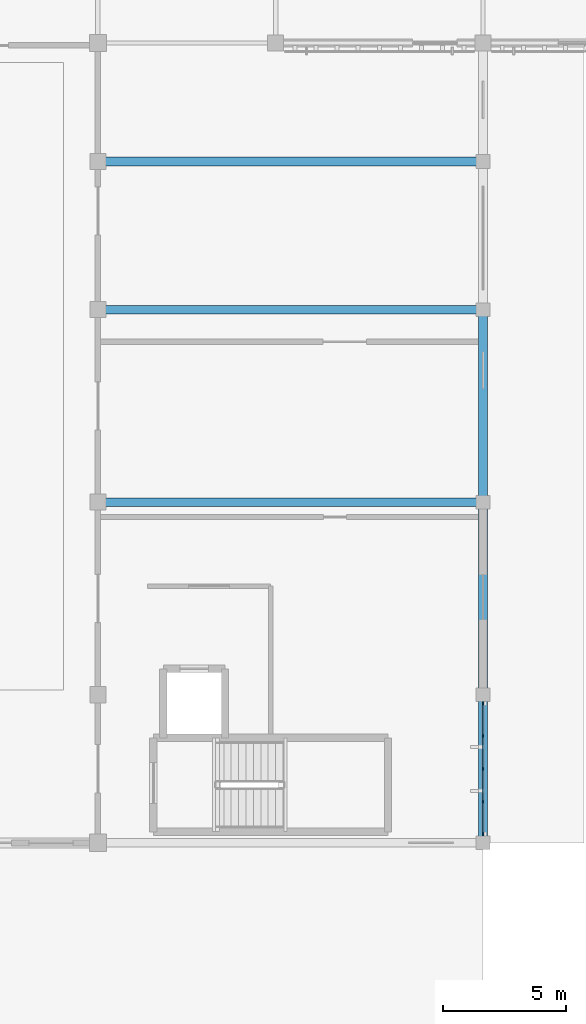
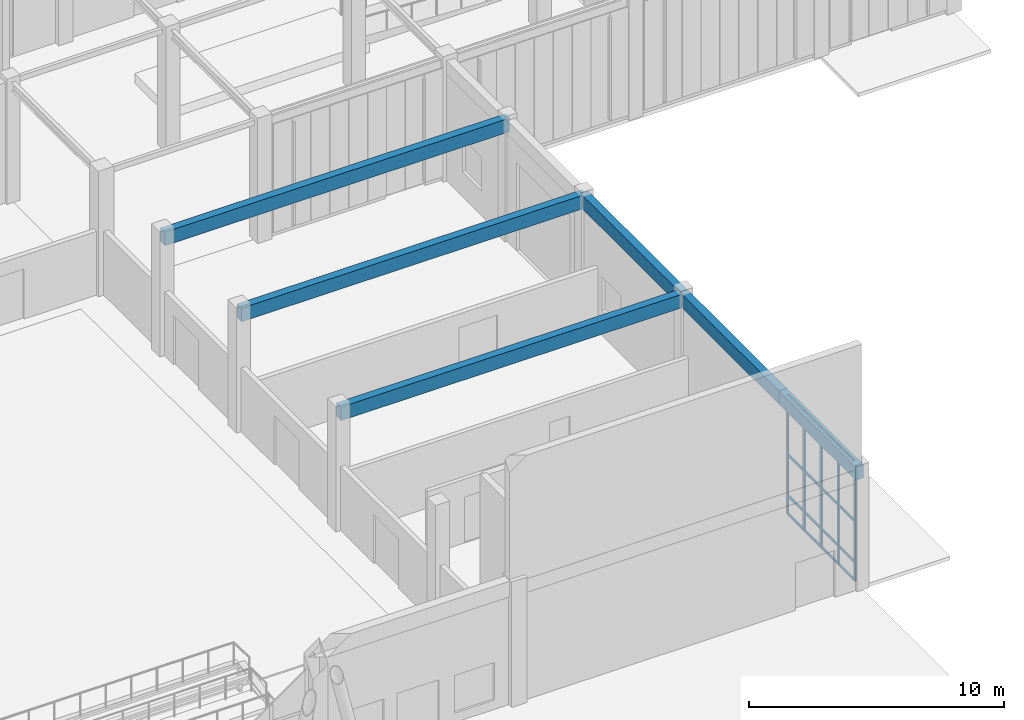
# One storey, part 49 of 110: 21 members, 6 beams, 1 element without a shape of its own.
"""IFC4 building model written with IfcOpenShell, lengths in metres."""

import ifcopenshell
import ifcopenshell.guid

model = None  # the IFC model being written
_history = None  # IfcOwnerHistory: only IFC2X3 demands one
_inside = {}  # id of a spatial element -> (the spatial element, [elements in it])
_under = {}  # id of a project, library or spatial element -> (it, [spatial elements below it])
_declared = {}  # id of a project -> (the project, [libraries it declares])
_typed = {}  # id of a type object -> (the type object, [elements of that type])
_made_of = {}  # id of a material, layer set ... -> (it, [elements and type objects made of it])


def new_model(schema):
    """Start an empty IFC model of exactly this schema.

    Asked for "IFC4X3", IfcOpenShell would pick the latest addendum, in which some entities
    have other attributes; the version numbers below select the first issue.
    IFC2X3 requires an IfcOwnerHistory on every rooted entity: one is made here for all.
    """
    global model, _history
    if schema == "IFC4X3":
        model = ifcopenshell.file(schema_version=(4, 3, 0, 0))
    else:
        model = ifcopenshell.file(schema=schema)
    _inside.clear()
    _under.clear()
    _declared.clear()
    _typed.clear()
    _made_of.clear()
    _history = None
    if model.schema == "IFC2X3":
        org = make("IfcOrganization", Name="unknown")
        user = make(
            "IfcPersonAndOrganization",
            ThePerson=make("IfcPerson", FamilyName="unknown"),
            TheOrganization=org,
        )
        app = make(
            "IfcApplication",
            ApplicationDeveloper=org,
            Version="unknown",
            ApplicationFullName="unknown",
            ApplicationIdentifier="unknown",
        )
        _history = make(
            "IfcOwnerHistory",
            OwningUser=user,
            OwningApplication=app,
            ChangeAction="ADDED",
            CreationDate=0,
        )
    return model


def make(cls, **values):
    """One entity of the class cls with the attributes given. An attribute that is None is left unset."""
    return model.create_entity(
        cls, **{name: value for name, value in values.items() if value is not None}
    )


def rooted(cls, **values):
    """An entity with a GlobalId (a new one), such as an element, a storey or a relation."""
    return make(cls, GlobalId=ifcopenshell.guid.new(), OwnerHistory=_history, **values)


def si_unit(unit_type, name, prefix=None):
    """IfcSIUnit, for example si_unit("LENGTHUNIT", "METRE", prefix="MILLI")."""
    return make("IfcSIUnit", UnitType=unit_type, Prefix=prefix, Name=name)


def assignment(units):
    """IfcUnitAssignment: the units of a project."""
    return None if units is None else make("IfcUnitAssignment", Units=units)


def point(xyz):
    """IfcCartesianPoint."""
    return None if xyz is None else make("IfcCartesianPoint", Coordinates=xyz)


def direction(xyz):
    """IfcDirection."""
    return None if xyz is None else make("IfcDirection", DirectionRatios=xyz)


def frame(location, z_axis=None, x_axis=None):
    """IfcAxis2Placement3D, a coordinate frame: its origin and axes. An axis left out is left unset."""
    return make(
        "IfcAxis2Placement3D",
        Location=point(location),
        Axis=direction(z_axis),
        RefDirection=direction(x_axis),
    )


def frame_2d(location, x_axis=None):
    """IfcAxis2Placement2D, a coordinate frame in the plane: its origin and x axis."""
    return make(
        "IfcAxis2Placement2D", Location=point(location), RefDirection=direction(x_axis)
    )


def origin():
    """The frame at (0, 0, 0) with its axes left unset."""
    return frame((0.0, 0.0, 0.0))


def origin_2d():
    """The frame at (0, 0) in the plane with its x axis left unset."""
    return frame_2d((0.0, 0.0))


def place(relative_to, where):
    """IfcLocalPlacement: puts the frame where relative to a parent placement (None: the world)."""
    return make(
        "IfcLocalPlacement", PlacementRelTo=relative_to, RelativePlacement=where
    )


def context(
    kind, dimensions, precision=None, world=None, true_north=None, identifier=None
):
    """IfcGeometricRepresentationContext, for example the 3D "Model" context."""
    return make(
        "IfcGeometricRepresentationContext",
        ContextIdentifier=identifier,
        ContextType=kind,
        CoordinateSpaceDimension=dimensions,
        Precision=precision,
        WorldCoordinateSystem=world,
        TrueNorth=true_north,
    )


def subcontext(parent, identifier, kind, view, scale=None):
    """IfcGeometricRepresentationSubContext, for example "Body" below "Model"."""
    return make(
        "IfcGeometricRepresentationSubContext",
        ContextIdentifier=identifier,
        ContextType=kind,
        ParentContext=parent,
        TargetScale=scale,
        TargetView=view,
    )


def project(units=None, contexts=None):
    """IfcProject with its units and contexts."""
    return rooted(
        "IfcProject",
        Name="project",
        RepresentationContexts=contexts,
        UnitsInContext=assignment(units),
    )


def spatial(cls, under=None, at=None, **own):
    """A site, building, storey or space (cls), placed at a placement, below another one or the project."""
    s = rooted(cls, ObjectPlacement=at, **own)
    if under is not None:
        _under.setdefault(under.id(), (under, []))[1].append(s)
    return s


def profile(cls, at=None, kind="AREA", **sizes):
    """A parametric profile (cls). Its sizes go by their IFC names, for example OverallWidth=200.0."""
    return make(cls, ProfileType=kind, Position=at, **sizes)


def rectangle(**sizes):
    """IfcRectangleProfileDef."""
    return profile("IfcRectangleProfileDef", **sizes)


def extrude(swept, where, along, depth):
    """IfcExtrudedAreaSolid: the profile swept, set in the frame where, extruded along a direction by depth."""
    return make(
        "IfcExtrudedAreaSolid",
        SweptArea=swept,
        Position=where,
        ExtrudedDirection=direction(along),
        Depth=depth,
    )


def shape(context_of_items, identifier, shape_type, items):
    """IfcShapeRepresentation: the items that make up one representation, for example the "Body"."""
    return make(
        "IfcShapeRepresentation",
        ContextOfItems=context_of_items,
        RepresentationIdentifier=identifier,
        RepresentationType=shape_type,
        Items=items,
    )


def material(Name=None, Category=None):
    """IfcMaterial."""
    return make("IfcMaterial", Name=Name, Category=Category)


def material_profile(
    of_material, cross_section, Name=None, Category=None, Priority=None
):
    """IfcMaterialProfile: a cross section and its material."""
    return make(
        "IfcMaterialProfile",
        Name=Name,
        Material=of_material,
        Profile=cross_section,
        Priority=Priority,
        Category=Category,
    )


def profile_set(profiles, Name=None, composite=None):
    """IfcMaterialProfileSet."""
    return make(
        "IfcMaterialProfileSet",
        Name=Name,
        MaterialProfiles=profiles,
        CompositeProfile=composite,
    )


def made_of(thing, what):
    """Note that an element or type object is made of a material, layer set ...; save() writes the relation."""
    if what is not None:
        _made_of.setdefault(what.id(), (what, []))[1].append(thing)
    return thing


def type_object(cls, material=None, **own):
    """A type object (cls), such as IfcWallType, which elements share."""
    return made_of(rooted(cls, **own), material)


def element(
    cls,
    number,
    at=None,
    inside=None,
    cuts=None,
    type_object=None,
    material=None,
    context=None,
    identifier="Body",
    shape_type=None,
    held_by="IfcProductDefinitionShape",
    body=None,
    shapes=None,
    **own,
):
    """One element of the class cls, such as IfcWall. Its Tag is "e" and its number.

    at: its placement. inside: the storey or other place that contains it. cuts: it is an
    opening in that element (IfcRelVoidsElement). A single representation is given by context,
    identifier, shape_type and body (its items); several are given by shapes. held_by: the class
    of the entity that holds the representations. save() writes the other relations.
    """
    e = rooted(cls, Tag="e%d" % number, ObjectPlacement=at, **own)
    if body is not None:
        shapes = [shape(context, identifier, shape_type, body)]
    if shapes is not None:
        e.Representation = make(held_by, Representations=shapes)
    if inside is not None:
        _inside.setdefault(inside.id(), (inside, []))[1].append(e)
    if cuts is not None:
        rooted(
            "IfcRelVoidsElement", RelatingBuildingElement=cuts, RelatedOpeningElement=e
        )
    if type_object is not None:
        _typed.setdefault(type_object.id(), (type_object, []))[1].append(e)
    return made_of(e, material)


def aggregate(whole, parts):
    """IfcRelAggregates: a whole, such as a stair, and the parts it consists of."""
    return rooted("IfcRelAggregates", RelatingObject=whole, RelatedObjects=parts)


def save(model, path):
    """Write the relations noted so far, then the file.

    IfcRelAggregates (storeys below a building ...), IfcRelContainedInSpatialStructure (elements
    in a storey), IfcRelDefinesByType, IfcRelAssociatesMaterial and IfcRelDeclares: one each for
    every whole, place, type object, material and project.
    """
    for whole, parts in _under.values():
        aggregate(whole, parts)
    for where, things in _inside.values():
        rooted(
            "IfcRelContainedInSpatialStructure",
            RelatedElements=things,
            RelatingStructure=where,
        )
    for kind, things in _typed.values():
        rooted("IfcRelDefinesByType", RelatedObjects=things, RelatingType=kind)
    for what, things in _made_of.values():
        rooted("IfcRelAssociatesMaterial", RelatedObjects=things, RelatingMaterial=what)
    for by, libraries in _declared.values():
        rooted("IfcRelDeclares", RelatingContext=by, RelatedDefinitions=libraries)
    model.write(path)


model = new_model("IFC4")

# Units and contexts
model_context = context("Model", 3, precision=1e-05, world=origin(), true_north=direction((0.0, 1.0)))
body_context = subcontext(model_context, "Body", "Model", "MODEL_VIEW")
ifc_project = project(units=[si_unit("LENGTHUNIT", "METRE"), si_unit("AREAUNIT", "SQUARE_METRE"), si_unit("VOLUMEUNIT", "CUBIC_METRE"), si_unit("PLANEANGLEUNIT", "RADIAN"), si_unit("MASSUNIT", "GRAM", prefix="KILO")], contexts=[model_context])

# Site, building, storey
site_placement = place(None, origin())
site = spatial("IfcSite", under=ifc_project, at=site_placement, CompositionType="ELEMENT")
building_placement = place(site_placement, origin())
building = spatial("IfcBuilding", under=site, at=building_placement, Name="Tizgana Railside Sports Hall", CompositionType="ELEMENT")
storey_placement = place(building_placement, origin())
storey = spatial("IfcBuildingStorey", under=building, at=storey_placement, Name="L00", CompositionType="ELEMENT", Elevation=0.0)

# Beams
ifc_material_1 = material(Name="Concrete C35/45", Category="concrete")
ifc_material_profile_1 = material_profile(ifc_material_1, rectangle(XDim=0.35009765625, YDim=0.64990234375, at=origin_2d()), Name="RCB 350x650")
ifc_profile_set_1 = profile_set([ifc_material_profile_1], Name="Concrete C35/45")
beam_type = type_object("IfcBeamType", Name="Concrete Beam RCB 350x650", PredefinedType="BEAM", material=ifc_profile_set_1)
for number, where, z_axis, x_axis, name in (
    (1, (133.800048828125, 54.60009765625, 5.450927734375), (1.0, 0.0, 0.0), (0.0, 1.0, 0.0), "L00 BEM-1373"),
    (2, (133.800048828125, 62.39990234375, 5.450927734375), (1.0, 0.0, 0.0), (0.0, 1.0, 0.0), "L00 BEM-1374"),
    (3, (133.800048828125, 68.39990234375, 5.450927734375), (1.0, 0.0, 0.0), (0.0, 1.0, 0.0), "L00 BEM-1375"),
):
    element("IfcBeam", number, at=place(storey_placement, frame(where, z_axis=z_axis, x_axis=x_axis)), inside=storey, type_object=beam_type, Name=name, PredefinedType="BEAM", context=body_context, shape_type="SweptSolid", body=[
        extrude(rectangle(XDim=0.35009765625, YDim=0.64990234375, at=origin_2d()), origin(), (0.0, 0.0, 1.0), 15.599853515625),
    ])
beam_1_placement = place(storey_placement, frame((149.39990234375, 40.800048828125, 5.450927734375), z_axis=(0.0, 1.0, 0.0), x_axis=(-1.0, 0.0, 0.0)))
element("IfcBeam", 4, at=beam_1_placement, inside=storey, type_object=beam_type, Name="L00 BEM-1376", PredefinedType="BEAM", context=body_context, shape_type="SweptSolid", body=[
    extrude(rectangle(XDim=0.35009765625, YDim=0.64990234375, at=origin_2d()), origin(), (0.0, 0.0, 1.0), 6.0),
])
beam_2_placement = place(storey_placement, frame((149.39990234375, 46.800048828125, 5.450927734375), z_axis=(0.0, 1.0, 0.0), x_axis=(-1.0, 0.0, 0.0)))
element("IfcBeam", 5, at=beam_2_placement, inside=storey, type_object=beam_type, Name="L00 BEM-1377", PredefinedType="BEAM", context=body_context, shape_type="SweptSolid", body=[
    extrude(rectangle(XDim=0.35009765625, YDim=0.64990234375, at=origin_2d()), origin(), (0.0, 0.0, 1.0), 7.800048828125),
])
beam_3_placement = place(storey_placement, frame((149.39990234375, 54.60009765625, 5.450927734375), z_axis=(0.0, 1.0, 0.0), x_axis=(-1.0, 0.0, 0.0)))
element("IfcBeam", 6, at=beam_3_placement, inside=storey, type_object=beam_type, Name="L00 BEM-1378", PredefinedType="BEAM", context=body_context, shape_type="SweptSolid", body=[
    extrude(rectangle(XDim=0.35009765625, YDim=0.64990234375, at=origin_2d()), origin(), (0.0, 0.0, 1.0), 7.7998046875),
])

# Curtain wall, members
ifc_material_2 = material(Name="Anodised aluminium and glass", Category="aluminium")
curtain_wall_type = type_object("IfcCurtainWallType", Name="Unitised Curtain Wall WestHall 1560", PredefinedType="NOTDEFINED", material=ifc_material_2)
curtain_wall_placement = place(storey_placement, origin())
curtain_wall = element("IfcCurtainWall", 7, at=curtain_wall_placement, inside=storey, type_object=curtain_wall_type, Name="L00 Curtain Wall CW-0030", PredefinedType="NOTDEFINED")
ifc_material_3 = material(Name="Anodised aluminium", Category="aluminium")
ifc_material_profile_2 = material_profile(ifc_material_3, rectangle(XDim=0.06005859375, YDim=0.139892578125, at=origin_2d()), Name="Mullion 60x140")
ifc_profile_set_2 = profile_set([ifc_material_profile_2], Name="Anodised aluminium")
member_type_1 = type_object("IfcMemberType", Name="Mullion 60x140", PredefinedType="MULLION", material=ifc_profile_set_2)
member_1_placement = place(storey_placement, frame((149.39990234375, 41.159912109375, 0.044921875), z_axis=(0.0, 0.0, 1.0), x_axis=(-1.0, 0.0, 0.0)))
member_1 = element("IfcMember", 8, at=member_1_placement, type_object=member_type_1, Name="CW-07 mullion 1", PredefinedType="MULLION", context=body_context, shape_type="SweptSolid", body=[
    extrude(rectangle(XDim=0.06005859375, YDim=0.139892578125, at=origin_2d()), origin(), (0.0, 0.0, 1.0), 5.715087890625),
])
member_2_placement = place(storey_placement, frame((149.39990234375, 42.465087890625, 0.044921875), z_axis=(0.0, 0.0, 1.0), x_axis=(-1.0, 0.0, 0.0)))
member_2 = element("IfcMember", 9, at=member_2_placement, type_object=member_type_1, Name="CW-07 mullion 2", PredefinedType="MULLION", context=body_context, shape_type="SweptSolid", body=[
    extrude(rectangle(XDim=0.06005859375, YDim=0.139892578125, at=origin_2d()), origin(), (0.0, 0.0, 1.0), 5.715087890625),
])
member_3_placement = place(storey_placement, frame((149.39990234375, 43.800048828125, 0.044921875), z_axis=(0.0, 0.0, 1.0), x_axis=(-1.0, 0.0, 0.0)))
member_3 = element("IfcMember", 10, at=member_3_placement, type_object=member_type_1, Name="CW-07 mullion 3", PredefinedType="MULLION", context=body_context, shape_type="SweptSolid", body=[
    extrude(rectangle(XDim=0.06005859375, YDim=0.139892578125, at=origin_2d()), origin(), (0.0, 0.0, 1.0), 5.715087890625),
])
member_4_placement = place(storey_placement, frame((149.39990234375, 45.135009765625, 0.044921875), z_axis=(0.0, 0.0, 1.0), x_axis=(-1.0, 0.0, 0.0)))
member_4 = element("IfcMember", 11, at=member_4_placement, type_object=member_type_1, Name="CW-07 mullion 4", PredefinedType="MULLION", context=body_context, shape_type="SweptSolid", body=[
    extrude(rectangle(XDim=0.06005859375, YDim=0.139892578125, at=origin_2d()), origin(), (0.0, 0.0, 1.0), 5.715087890625),
])
member_5_placement = place(storey_placement, frame((149.39990234375, 46.43994140625, 0.044921875), z_axis=(0.0, 0.0, 1.0), x_axis=(-1.0, 0.0, 0.0)))
member_5 = element("IfcMember", 12, at=member_5_placement, type_object=member_type_1, Name="CW-07 mullion 5", PredefinedType="MULLION", context=body_context, shape_type="SweptSolid", body=[
    extrude(rectangle(XDim=0.06005859375, YDim=0.139892578125, at=origin_2d()), origin(), (0.0, 0.0, 1.0), 5.715087890625),
])
ifc_material_profile_3 = material_profile(ifc_material_3, rectangle(XDim=0.06005859375, YDim=0.110107421875, at=origin_2d()), Name="Transom 60x110")
ifc_profile_set_3 = profile_set([ifc_material_profile_3], Name="Anodised aluminium")
member_type_2 = type_object("IfcMemberType", Name="Transom 60x110", PredefinedType="USERDEFINED", material=ifc_profile_set_3)
member_6_placement = place(storey_placement, frame((149.39990234375, 41.18994140625, 0.074951171875), z_axis=(0.0, 1.0, 0.0), x_axis=(-1.0, 0.0, 0.0)))
member_6 = element("IfcMember", 13, at=member_6_placement, type_object=member_type_2, Name="CW-07 transom 1.1", ObjectType="TRANSOM", PredefinedType="USERDEFINED", context=body_context, shape_type="SweptSolid", body=[
    extrude(rectangle(XDim=0.06005859375, YDim=0.110107421875, at=origin_2d()), origin(), (0.0, 0.0, 1.0), 1.2451171875),
])
member_7_placement = place(storey_placement, frame((149.39990234375, 41.18994140625, 0.945068359375), z_axis=(0.0, 1.0, 0.0), x_axis=(-1.0, 0.0, 0.0)))
member_7 = element("IfcMember", 14, at=member_7_placement, type_object=member_type_2, Name="CW-07 transom 1.2", ObjectType="TRANSOM", PredefinedType="USERDEFINED", context=body_context, shape_type="SweptSolid", body=[
    extrude(rectangle(XDim=0.06005859375, YDim=0.110107421875, at=origin_2d()), origin(), (0.0, 0.0, 1.0), 1.2451171875),
])
member_8_placement = place(storey_placement, frame((149.39990234375, 41.18994140625, 2.902587890625), z_axis=(0.0, 1.0, 0.0), x_axis=(-1.0, 0.0, 0.0)))
member_8 = element("IfcMember", 15, at=member_8_placement, type_object=member_type_2, Name="CW-07 transom 1.3", ObjectType="TRANSOM", PredefinedType="USERDEFINED", context=body_context, shape_type="SweptSolid", body=[
    extrude(rectangle(XDim=0.06005859375, YDim=0.110107421875, at=origin_2d()), origin(), (0.0, 0.0, 1.0), 1.2451171875),
])
member_9_placement = place(storey_placement, frame((149.39990234375, 41.18994140625, 5.72998046875), z_axis=(0.0, 1.0, 0.0), x_axis=(-1.0, 0.0, 0.0)))
member_9 = element("IfcMember", 16, at=member_9_placement, type_object=member_type_2, Name="CW-07 transom 1.4", ObjectType="TRANSOM", PredefinedType="USERDEFINED", context=body_context, shape_type="SweptSolid", body=[
    extrude(rectangle(XDim=0.06005859375, YDim=0.110107421875, at=origin_2d()), origin(), (0.0, 0.0, 1.0), 1.2451171875),
])
member_10_placement = place(storey_placement, frame((149.39990234375, 42.4951171875, 0.074951171875), z_axis=(0.0, 1.0, 0.0), x_axis=(-1.0, 0.0, 0.0)))
member_10 = element("IfcMember", 17, at=member_10_placement, type_object=member_type_2, Name="CW-07 transom 2.1", ObjectType="TRANSOM", PredefinedType="USERDEFINED", context=body_context, shape_type="SweptSolid", body=[
    extrude(rectangle(XDim=0.06005859375, YDim=0.110107421875, at=origin_2d()), origin(), (0.0, 0.0, 1.0), 1.27490234375),
])
member_11_placement = place(storey_placement, frame((149.39990234375, 42.4951171875, 0.945068359375), z_axis=(0.0, 1.0, 0.0), x_axis=(-1.0, 0.0, 0.0)))
member_11 = element("IfcMember", 18, at=member_11_placement, type_object=member_type_2, Name="CW-07 transom 2.2", ObjectType="TRANSOM", PredefinedType="USERDEFINED", context=body_context, shape_type="SweptSolid", body=[
    extrude(rectangle(XDim=0.06005859375, YDim=0.110107421875, at=origin_2d()), origin(), (0.0, 0.0, 1.0), 1.27490234375),
])
member_12_placement = place(storey_placement, frame((149.39990234375, 42.4951171875, 2.902587890625), z_axis=(0.0, 1.0, 0.0), x_axis=(-1.0, 0.0, 0.0)))
member_12 = element("IfcMember", 19, at=member_12_placement, type_object=member_type_2, Name="CW-07 transom 2.3", ObjectType="TRANSOM", PredefinedType="USERDEFINED", context=body_context, shape_type="SweptSolid", body=[
    extrude(rectangle(XDim=0.06005859375, YDim=0.110107421875, at=origin_2d()), origin(), (0.0, 0.0, 1.0), 1.27490234375),
])
member_13_placement = place(storey_placement, frame((149.39990234375, 42.4951171875, 5.72998046875), z_axis=(0.0, 1.0, 0.0), x_axis=(-1.0, 0.0, 0.0)))
member_13 = element("IfcMember", 20, at=member_13_placement, type_object=member_type_2, Name="CW-07 transom 2.4", ObjectType="TRANSOM", PredefinedType="USERDEFINED", context=body_context, shape_type="SweptSolid", body=[
    extrude(rectangle(XDim=0.06005859375, YDim=0.110107421875, at=origin_2d()), origin(), (0.0, 0.0, 1.0), 1.27490234375),
])
member_14_placement = place(storey_placement, frame((149.39990234375, 43.830078125, 0.074951171875), z_axis=(0.0, 1.0, 0.0), x_axis=(-1.0, 0.0, 0.0)))
member_14 = element("IfcMember", 21, at=member_14_placement, type_object=member_type_2, Name="CW-07 transom 3.1", ObjectType="TRANSOM", PredefinedType="USERDEFINED", context=body_context, shape_type="SweptSolid", body=[
    extrude(rectangle(XDim=0.06005859375, YDim=0.110107421875, at=origin_2d()), origin(), (0.0, 0.0, 1.0), 1.27490234375),
])
member_15_placement = place(storey_placement, frame((149.39990234375, 43.830078125, 0.945068359375), z_axis=(0.0, 1.0, 0.0), x_axis=(-1.0, 0.0, 0.0)))
member_15 = element("IfcMember", 22, at=member_15_placement, type_object=member_type_2, Name="CW-07 transom 3.2", ObjectType="TRANSOM", PredefinedType="USERDEFINED", context=body_context, shape_type="SweptSolid", body=[
    extrude(rectangle(XDim=0.06005859375, YDim=0.110107421875, at=origin_2d()), origin(), (0.0, 0.0, 1.0), 1.27490234375),
])
member_16_placement = place(storey_placement, frame((149.39990234375, 43.830078125, 2.902587890625), z_axis=(0.0, 1.0, 0.0), x_axis=(-1.0, 0.0, 0.0)))
member_16 = element("IfcMember", 23, at=member_16_placement, type_object=member_type_2, Name="CW-07 transom 3.3", ObjectType="TRANSOM", PredefinedType="USERDEFINED", context=body_context, shape_type="SweptSolid", body=[
    extrude(rectangle(XDim=0.06005859375, YDim=0.110107421875, at=origin_2d()), origin(), (0.0, 0.0, 1.0), 1.27490234375),
])
member_17_placement = place(storey_placement, frame((149.39990234375, 43.830078125, 5.72998046875), z_axis=(0.0, 1.0, 0.0), x_axis=(-1.0, 0.0, 0.0)))
member_17 = element("IfcMember", 24, at=member_17_placement, type_object=member_type_2, Name="CW-07 transom 3.4", ObjectType="TRANSOM", PredefinedType="USERDEFINED", context=body_context, shape_type="SweptSolid", body=[
    extrude(rectangle(XDim=0.06005859375, YDim=0.110107421875, at=origin_2d()), origin(), (0.0, 0.0, 1.0), 1.27490234375),
])
member_18_placement = place(storey_placement, frame((149.39990234375, 45.1650390625, 0.074951171875), z_axis=(0.0, 1.0, 0.0), x_axis=(-1.0, 0.0, 0.0)))
member_18 = element("IfcMember", 25, at=member_18_placement, type_object=member_type_2, Name="CW-07 transom 4.1", ObjectType="TRANSOM", PredefinedType="USERDEFINED", context=body_context, shape_type="SweptSolid", body=[
    extrude(rectangle(XDim=0.06005859375, YDim=0.110107421875, at=origin_2d()), origin(), (0.0, 0.0, 1.0), 1.244873046875),
])
member_19_placement = place(storey_placement, frame((149.39990234375, 45.1650390625, 0.945068359375), z_axis=(0.0, 1.0, 0.0), x_axis=(-1.0, 0.0, 0.0)))
member_19 = element("IfcMember", 26, at=member_19_placement, type_object=member_type_2, Name="CW-07 transom 4.2", ObjectType="TRANSOM", PredefinedType="USERDEFINED", context=body_context, shape_type="SweptSolid", body=[
    extrude(rectangle(XDim=0.06005859375, YDim=0.110107421875, at=origin_2d()), origin(), (0.0, 0.0, 1.0), 1.244873046875),
])
member_20_placement = place(storey_placement, frame((149.39990234375, 45.1650390625, 2.902587890625), z_axis=(0.0, 1.0, 0.0), x_axis=(-1.0, 0.0, 0.0)))
member_20 = element("IfcMember", 27, at=member_20_placement, type_object=member_type_2, Name="CW-07 transom 4.3", ObjectType="TRANSOM", PredefinedType="USERDEFINED", context=body_context, shape_type="SweptSolid", body=[
    extrude(rectangle(XDim=0.06005859375, YDim=0.110107421875, at=origin_2d()), origin(), (0.0, 0.0, 1.0), 1.244873046875),
])
member_21_placement = place(storey_placement, frame((149.39990234375, 45.1650390625, 5.72998046875), z_axis=(0.0, 1.0, 0.0), x_axis=(-1.0, 0.0, 0.0)))
member_21 = element("IfcMember", 28, at=member_21_placement, type_object=member_type_2, Name="CW-07 transom 4.4", ObjectType="TRANSOM", PredefinedType="USERDEFINED", context=body_context, shape_type="SweptSolid", body=[
    extrude(rectangle(XDim=0.06005859375, YDim=0.110107421875, at=origin_2d()), origin(), (0.0, 0.0, 1.0), 1.244873046875),
])
aggregate(curtain_wall, [member_1, member_2, member_3, member_4, member_5, member_6, member_7, member_8, member_9, member_10, member_11, member_12, member_13, member_14, member_15, member_16, member_17, member_18, member_19, member_20, member_21])

save(model, "model.ifc")
